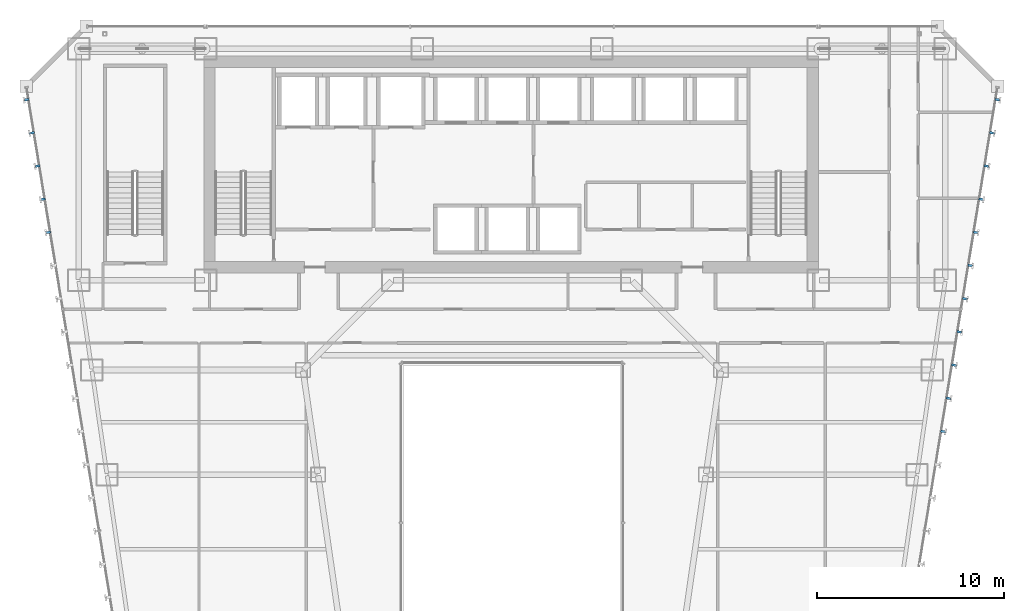
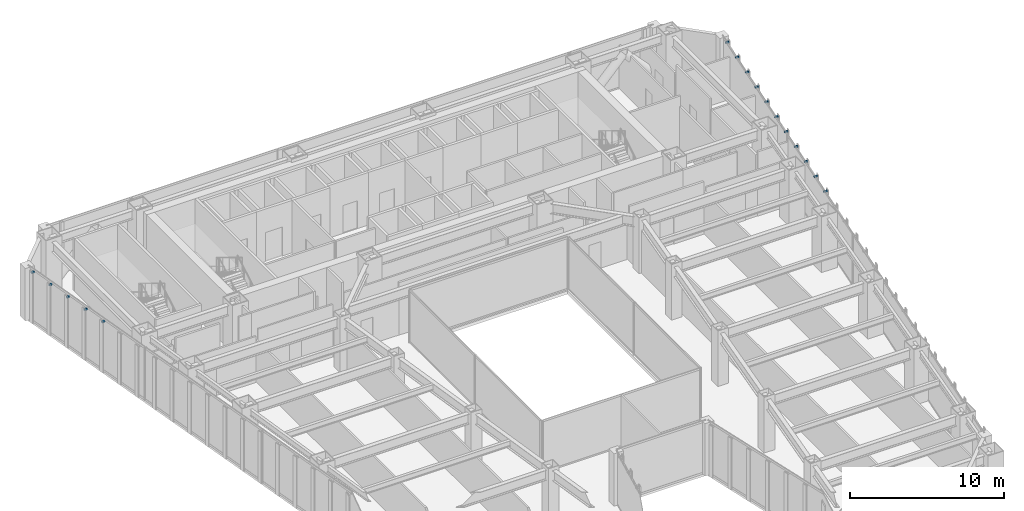
# One storey, part 40 of 47: 16 discrete accessories.
"""IFC4 building model written with IfcOpenShell, lengths in metres."""

from ifc_helpers import new_model, si_unit, direction, frame, origin, origin_2d, place, context, subcontext, project, spatial, rectangle, extrude, material, layer, layer_set, type_object, element, save


model = new_model("IFC4")

# Units and contexts
model_context = context("Model", 3, precision=1e-05, world=origin(), true_north=direction((0.0, 1.0)))
body_context = subcontext(model_context, "Body", "Model", "MODEL_VIEW")
ifc_project = project(units=[si_unit("LENGTHUNIT", "METRE"), si_unit("AREAUNIT", "SQUARE_METRE"), si_unit("VOLUMEUNIT", "CUBIC_METRE"), si_unit("PLANEANGLEUNIT", "RADIAN"), si_unit("MASSUNIT", "GRAM", prefix="KILO")], contexts=[model_context])

# Site, building, storey
site_placement = place(None, origin())
site = spatial("IfcSite", under=ifc_project, at=site_placement, CompositionType="ELEMENT")
building_placement = place(site_placement, origin())
building = spatial("IfcBuilding", under=site, at=building_placement, Name="Saevonmaru Cultural Tower", CompositionType="ELEMENT")
storey_placement = place(building_placement, frame((0.0, 0.0, 69.199951171875)))
storey = spatial("IfcBuildingStorey", under=building, at=storey_placement, Name="L14", CompositionType="ELEMENT", Elevation=69.199951171875)

# Discrete accessories
ifc_material = material(Name="Stainless Steel 316", Category="steel")
ifc_layer = layer(ifc_material, 0.1201171875, Name="Stainless Steel 316")
ifc_layer_set = layer_set([ifc_layer], Name="Stainless Steel 316")
discrete_accessory_type = type_object("IfcDiscreteAccessoryType", Name="ACC-FIN-BRKT", PredefinedType="BRACKET", material=ifc_layer_set)
for number, where, z_axis, x_axis, name in (
    (1, (53.081787109375, 34.31103515625, 3.929931640625), (0.0, 0.0, 1.0), (0.986827496189, -0.161776057456, 0.0), "L14 Bronze Fin Bracket E8-17"),
    (2, (53.372802734375, 36.08740234375, 3.929931640625), (0.0, 0.0, 1.0), (0.986827496189, -0.161776057456, 0.0), "L14 Bronze Fin Bracket E8-18"),
    (3, (53.663818359375, 37.86376953125, 3.929931640625), (0.0, 0.0, 1.0), (0.986827496189, -0.161776057456, 0.0), "L14 Bronze Fin Bracket E8-19"),
    (4, (53.955078125, 39.64013671875, 3.929931640625), (0.0, 0.0, 1.0), (0.986827496189, -0.161776057456, 0.0), "L14 Bronze Fin Bracket E8-20"),
    (5, (54.24609375, 41.41650390625, 3.929931640625), (0.0, 0.0, 1.0), (0.986827496189, -0.161776057456, 0.0), "L14 Bronze Fin Bracket E8-21"),
    (6, (54.537109375, 43.192626953125, 3.929931640625), (0.0, 0.0, 1.0), (0.986827496189, -0.161776057456, 0.0), "L14 Bronze Fin Bracket E8-22"),
    (7, (54.828125, 44.968994140625, 3.929931640625), (0.0, 0.0, 1.0), (0.986827496189, -0.161776057456, 0.0), "L14 Bronze Fin Bracket E8-23"),
    (8, (55.119384765625, 46.745361328125, 3.929931640625), (0.0, 0.0, 1.0), (0.986827496189, -0.161776057456, 0.0), "L14 Bronze Fin Bracket E8-24"),
    (9, (55.410400390625, 48.521484375, 3.929931640625), (0.0, 0.0, 1.0), (0.986827496189, -0.161776057456, 0.0), "L14 Bronze Fin Bracket E8-25"),
    (10, (55.701416015625, 50.2978515625, 3.929931640625), (0.0, 0.0, 1.0), (0.986827496189, -0.161776057456, 0.0), "L14 Bronze Fin Bracket E8-26"),
    (11, (55.992431640625, 52.07421875, 3.929931640625), (0.0, 0.0, 1.0), (0.986827496189, -0.161776057456, 0.0), "L14 Bronze Fin Bracket E8-27"),
    (12, (4.007568359375, 52.07421875, 3.929931640625), (0.0, 0.0, 1.0), (-0.986827496189, -0.161776057456, 0.0), "L14 Bronze Fin Bracket E12-01"),
    (13, (4.298583984375, 50.2978515625, 3.929931640625), (0.0, 0.0, 1.0), (-0.986827496189, -0.161776057456, 0.0), "L14 Bronze Fin Bracket E12-02"),
    (14, (4.589599609375, 48.521484375, 3.929931640625), (0.0, 0.0, 1.0), (-0.986827496189, -0.161776057456, 0.0), "L14 Bronze Fin Bracket E12-03"),
    (15, (4.880615234375, 46.745361328125, 3.929931640625), (0.0, 0.0, 1.0), (-0.986827496189, -0.161776057456, 0.0), "L14 Bronze Fin Bracket E12-04"),
    (16, (5.171875, 44.968994140625, 3.929931640625), (0.0, 0.0, 1.0), (-0.986827496189, -0.161776057456, 0.0), "L14 Bronze Fin Bracket E12-05"),
):
    element("IfcDiscreteAccessory", number, at=place(storey_placement, frame(where, z_axis=z_axis, x_axis=x_axis)), inside=storey, type_object=discrete_accessory_type, Name=name, PredefinedType="BRACKET", context=body_context, shape_type="SweptSolid", body=[
        extrude(rectangle(XDim=0.260009765625, YDim=0.1201171875, at=origin_2d()), origin(), (0.0, 0.0, 1.0), 0.1201171875),
    ])

save(model, "model.ifc")
